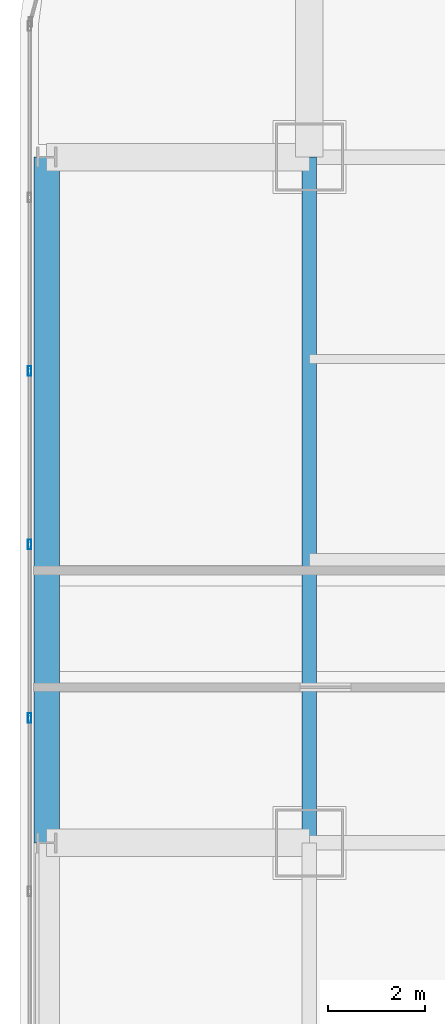
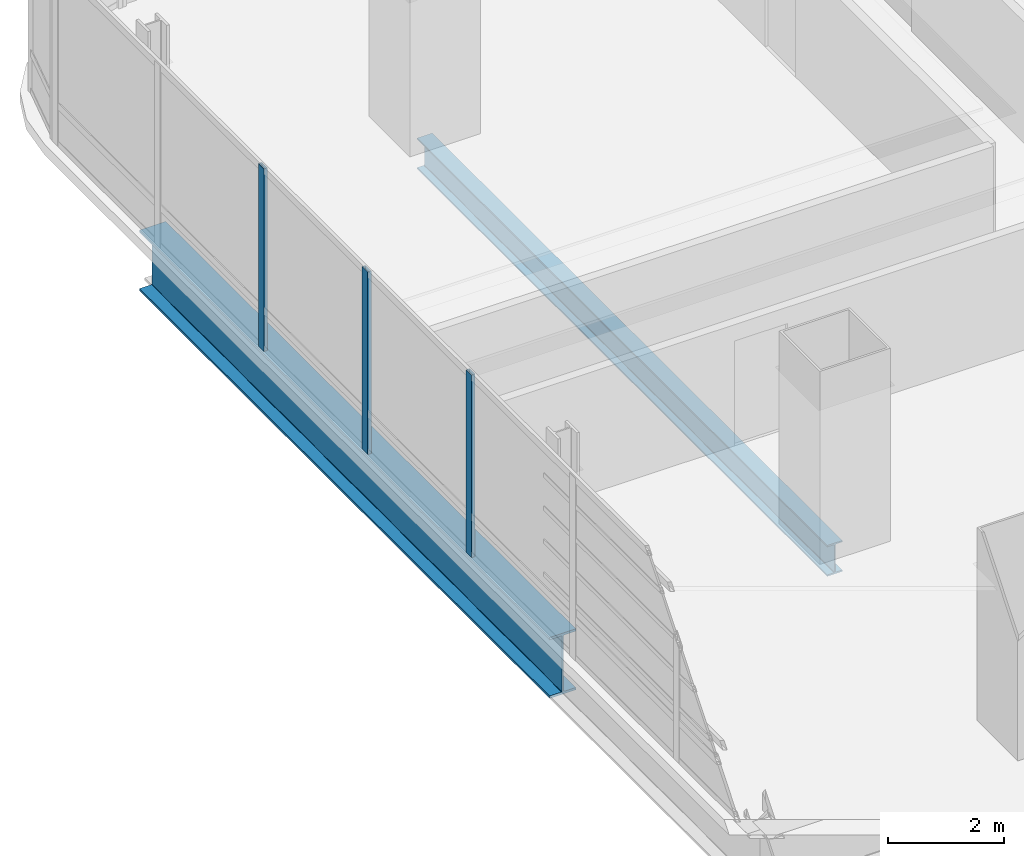
# One storey, part 12 of 38: 3 members, 2 beams, 1 element without a shape of its own.
"""IFC4 building model written with IfcOpenShell, lengths in metres."""

from ifc_helpers import new_model, si_unit, direction, frame, origin, origin_2d, place, context, subcontext, project, spatial, hollow_rectangle, i_section, extrude, material, material_profile, profile_set, type_object, element, aggregate, save


model = new_model("IFC4")

# Units and contexts
model_context = context("Model", 3, precision=1e-05, world=origin(), true_north=direction((0.0, 1.0)))
body_context = subcontext(model_context, "Body", "Model", "MODEL_VIEW")
ifc_project = project(units=[si_unit("LENGTHUNIT", "METRE"), si_unit("AREAUNIT", "SQUARE_METRE"), si_unit("VOLUMEUNIT", "CUBIC_METRE"), si_unit("PLANEANGLEUNIT", "RADIAN"), si_unit("MASSUNIT", "GRAM", prefix="KILO")], contexts=[model_context])

# Site, building, storey
site_placement = place(None, origin())
site = spatial("IfcSite", under=ifc_project, at=site_placement, CompositionType="ELEMENT")
building_placement = place(site_placement, origin())
building = spatial("IfcBuilding", under=site, at=building_placement, Name="Punatoya Terracotta Tower", CompositionType="ELEMENT")
storey_placement = place(building_placement, frame((0.0, 0.0, 160.050048828125)))
storey = spatial("IfcBuildingStorey", under=building, at=storey_placement, Name="L37", CompositionType="ELEMENT", Elevation=160.050048828125)

# Beams
ifc_material_1 = material(Name="Steel S355", Category="steel")
ifc_material_profile_1 = material_profile(ifc_material_1, i_section(OverallWidth=0.300048828125, OverallDepth=0.64990234375, WebThickness=0.01611328125, FlangeThickness=0.031005859375, FilletRadius=0.01806640625, at=origin_2d()))
ifc_profile_set_1 = profile_set([ifc_material_profile_1], Name="Steel S355")
beam_type_1 = type_object("IfcBeamType", Name="BM-PRI-650", PredefinedType="BEAM", material=ifc_profile_set_1)
beam_1_placement = place(storey_placement, frame((-19.10009765625, 3.39990234375, -0.545166015625), z_axis=(0.0, 1.0, 0.0), x_axis=(-1.0, 0.0, 0.0)))
element("IfcBeam", 1, at=beam_1_placement, inside=storey, type_object=beam_type_1, Name="BM-L37-RG-W3", PredefinedType="BEAM", context=body_context, shape_type="SweptSolid", body=[
    extrude(i_section(OverallWidth=0.300048828125, OverallDepth=0.64990234375, WebThickness=0.01611328125, FlangeThickness=0.031005859375, FilletRadius=0.01806640625, at=origin_2d()), origin(), (0.0, 0.0, 1.0), 14.10009765625),
])
ifc_material_2 = material(Name="Steel S460", Category="steel")
ifc_material_profile_2 = material_profile(ifc_material_2, i_section(OverallWidth=0.52001953125, OverallDepth=1.280029296875, WebThickness=0.031982421875, FlangeThickness=0.050048828125, FilletRadius=0.01806640625, at=origin_2d()))
ifc_profile_set_2 = profile_set([ifc_material_profile_2], Name="Steel S460")
beam_type_2 = type_object("IfcBeamType", Name="BM-TG-NCK", PredefinedType="BEAM", material=ifc_profile_set_2)
beam_2_placement = place(storey_placement, frame((-24.5, 3.39990234375, -0.860107421875), z_axis=(0.0, 1.0, 0.0), x_axis=(-1.0, 0.0, 0.0)))
element("IfcBeam", 2, at=beam_2_placement, inside=storey, type_object=beam_type_2, Name="BM-L37-PER-W3", PredefinedType="BEAM", context=body_context, shape_type="SweptSolid", body=[
    extrude(i_section(OverallWidth=0.52001953125, OverallDepth=1.280029296875, WebThickness=0.031982421875, FlangeThickness=0.050048828125, FilletRadius=0.01806640625, at=origin_2d()), origin(), (0.0, 0.0, 1.0), 14.10009765625),
])

# Curtain wall, members
ifc_material_3 = material(Name="Aluminium 6063-T6 + Double Low-E Glass", Category="aluminium")
curtain_wall_type = type_object("IfcCurtainWallType", Name="CW-M2", PredefinedType="NOTDEFINED", material=ifc_material_3)
curtain_wall_placement = place(storey_placement, origin())
curtain_wall = element("IfcCurtainWall", 3, at=curtain_wall_placement, inside=storey, type_object=curtain_wall_type, Name="L37 Curtain Wall CW-L37-W13-1", PredefinedType="NOTDEFINED")
ifc_material_4 = material(Name="Aluminium 6063-T6", Category="aluminium")
ifc_material_profile_3 = material_profile(ifc_material_4, hollow_rectangle(XDim=0.072021484375, YDim=0.195068359375, WallThickness=0.00439453125, at=origin_2d()))
ifc_profile_set_3 = profile_set([ifc_material_profile_3], Name="Aluminium 6063-T6")
member_type = type_object("IfcMemberType", Name="CW-MUL-M2", PredefinedType="MULLION", material=ifc_profile_set_3)
member_1_placement = place(storey_placement, frame((-24.85009765625, 13.10205078125, 0.0), z_axis=(0.0, 0.0, 1.0), x_axis=(1.0, 0.0, 0.0)))
member_1 = element("IfcMember", 4, at=member_1_placement, type_object=member_type, Name="CW-L37-W13-1 Mullion 02", PredefinedType="MULLION", context=body_context, shape_type="SweptSolid", body=[
    extrude(hollow_rectangle(XDim=0.072021484375, YDim=0.195068359375, WallThickness=0.00439453125, at=origin_2d()), origin(), (0.0, 0.0, 1.0), 3.829833984375),
])
member_2_placement = place(storey_placement, frame((-24.85009765625, 9.534912109375, 0.0), z_axis=(0.0, 0.0, 1.0), x_axis=(1.0, 0.0, 0.0)))
member_2 = element("IfcMember", 5, at=member_2_placement, type_object=member_type, Name="CW-L37-W13-1 Mullion 03", PredefinedType="MULLION", context=body_context, shape_type="SweptSolid", body=[
    extrude(hollow_rectangle(XDim=0.072021484375, YDim=0.195068359375, WallThickness=0.00439453125, at=origin_2d()), origin(), (0.0, 0.0, 1.0), 3.829833984375),
])
member_3_placement = place(storey_placement, frame((-24.85009765625, 5.96728515625, 0.0), z_axis=(0.0, 0.0, 1.0), x_axis=(1.0, 0.0, 0.0)))
member_3 = element("IfcMember", 6, at=member_3_placement, type_object=member_type, Name="CW-L37-W13-1 Mullion 04", PredefinedType="MULLION", context=body_context, shape_type="SweptSolid", body=[
    extrude(hollow_rectangle(XDim=0.072021484375, YDim=0.195068359375, WallThickness=0.00439453125, at=origin_2d()), origin(), (0.0, 0.0, 1.0), 3.829833984375),
])
aggregate(curtain_wall, [member_1, member_2, member_3])

save(model, "model.ifc")
